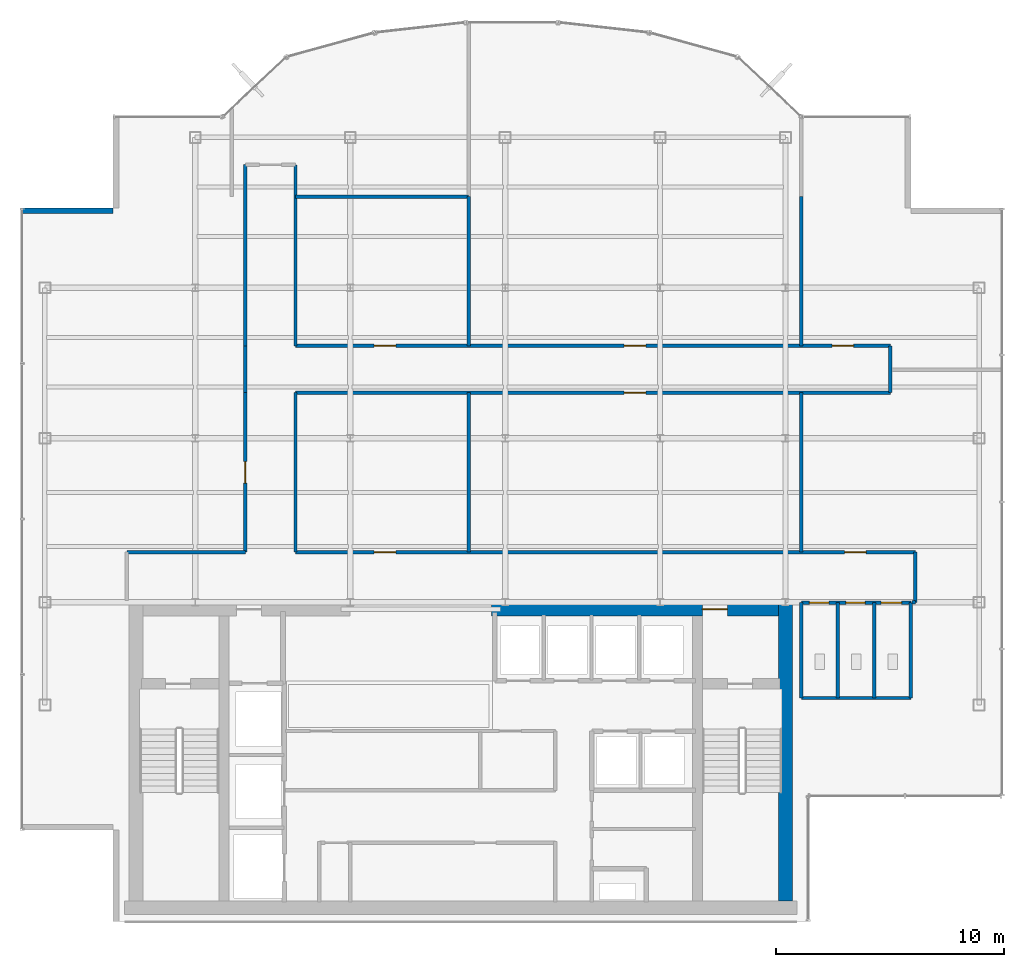
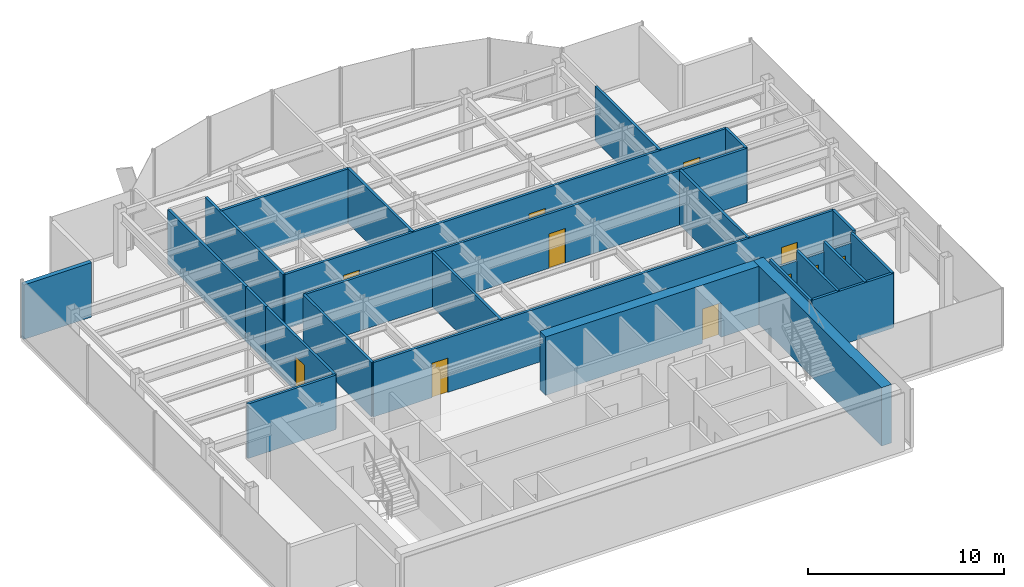
# One storey, part 18 of 22: 26 walls, 11 doors, 11 openings.
"""IFC4 building model written with IfcOpenShell, lengths in metres."""

import ifcopenshell
import ifcopenshell.guid

model = None  # the IFC model being written
_history = None  # IfcOwnerHistory: only IFC2X3 demands one
_inside = {}  # id of a spatial element -> (the spatial element, [elements in it])
_under = {}  # id of a project, library or spatial element -> (it, [spatial elements below it])
_declared = {}  # id of a project -> (the project, [libraries it declares])
_typed = {}  # id of a type object -> (the type object, [elements of that type])
_made_of = {}  # id of a material, layer set ... -> (it, [elements and type objects made of it])


def new_model(schema):
    """Start an empty IFC model of exactly this schema.

    Asked for "IFC4X3", IfcOpenShell would pick the latest addendum, in which some entities
    have other attributes; the version numbers below select the first issue.
    IFC2X3 requires an IfcOwnerHistory on every rooted entity: one is made here for all.
    """
    global model, _history
    if schema == "IFC4X3":
        model = ifcopenshell.file(schema_version=(4, 3, 0, 0))
    else:
        model = ifcopenshell.file(schema=schema)
    _inside.clear()
    _under.clear()
    _declared.clear()
    _typed.clear()
    _made_of.clear()
    _history = None
    if model.schema == "IFC2X3":
        org = make("IfcOrganization", Name="unknown")
        user = make(
            "IfcPersonAndOrganization",
            ThePerson=make("IfcPerson", FamilyName="unknown"),
            TheOrganization=org,
        )
        app = make(
            "IfcApplication",
            ApplicationDeveloper=org,
            Version="unknown",
            ApplicationFullName="unknown",
            ApplicationIdentifier="unknown",
        )
        _history = make(
            "IfcOwnerHistory",
            OwningUser=user,
            OwningApplication=app,
            ChangeAction="ADDED",
            CreationDate=0,
        )
    return model


def make(cls, **values):
    """One entity of the class cls with the attributes given. An attribute that is None is left unset."""
    return model.create_entity(
        cls, **{name: value for name, value in values.items() if value is not None}
    )


def rooted(cls, **values):
    """An entity with a GlobalId (a new one), such as an element, a storey or a relation."""
    return make(cls, GlobalId=ifcopenshell.guid.new(), OwnerHistory=_history, **values)


def si_unit(unit_type, name, prefix=None):
    """IfcSIUnit, for example si_unit("LENGTHUNIT", "METRE", prefix="MILLI")."""
    return make("IfcSIUnit", UnitType=unit_type, Prefix=prefix, Name=name)


def derived_unit(unit_type, elements):
    """IfcDerivedUnit: a product of units, each with its exponent."""
    return make(
        "IfcDerivedUnit",
        Elements=[
            make("IfcDerivedUnitElement", Unit=unit, Exponent=power)
            for unit, power in elements
        ],
        UnitType=unit_type,
    )


def assignment(units):
    """IfcUnitAssignment: the units of a project."""
    return None if units is None else make("IfcUnitAssignment", Units=units)


def point(xyz):
    """IfcCartesianPoint."""
    return None if xyz is None else make("IfcCartesianPoint", Coordinates=xyz)


def direction(xyz):
    """IfcDirection."""
    return None if xyz is None else make("IfcDirection", DirectionRatios=xyz)


def frame(location, z_axis=None, x_axis=None):
    """IfcAxis2Placement3D, a coordinate frame: its origin and axes. An axis left out is left unset."""
    return make(
        "IfcAxis2Placement3D",
        Location=point(location),
        Axis=direction(z_axis),
        RefDirection=direction(x_axis),
    )


def frame_2d(location, x_axis=None):
    """IfcAxis2Placement2D, a coordinate frame in the plane: its origin and x axis."""
    return make(
        "IfcAxis2Placement2D", Location=point(location), RefDirection=direction(x_axis)
    )


def origin():
    """The frame at (0, 0, 0) with its axes left unset."""
    return frame((0.0, 0.0, 0.0))


def place(relative_to, where):
    """IfcLocalPlacement: puts the frame where relative to a parent placement (None: the world)."""
    return make(
        "IfcLocalPlacement", PlacementRelTo=relative_to, RelativePlacement=where
    )


def context(
    kind, dimensions, precision=None, world=None, true_north=None, identifier=None
):
    """IfcGeometricRepresentationContext, for example the 3D "Model" context."""
    return make(
        "IfcGeometricRepresentationContext",
        ContextIdentifier=identifier,
        ContextType=kind,
        CoordinateSpaceDimension=dimensions,
        Precision=precision,
        WorldCoordinateSystem=world,
        TrueNorth=true_north,
    )


def subcontext(parent, identifier, kind, view, scale=None):
    """IfcGeometricRepresentationSubContext, for example "Body" below "Model"."""
    return make(
        "IfcGeometricRepresentationSubContext",
        ContextIdentifier=identifier,
        ContextType=kind,
        ParentContext=parent,
        TargetScale=scale,
        TargetView=view,
    )


def project(units=None, contexts=None):
    """IfcProject with its units and contexts."""
    return rooted(
        "IfcProject",
        Name="project",
        RepresentationContexts=contexts,
        UnitsInContext=assignment(units),
    )


def spatial(cls, under=None, at=None, **own):
    """A site, building, storey or space (cls), placed at a placement, below another one or the project."""
    s = rooted(cls, ObjectPlacement=at, **own)
    if under is not None:
        _under.setdefault(under.id(), (under, []))[1].append(s)
    return s


def profile(cls, at=None, kind="AREA", **sizes):
    """A parametric profile (cls). Its sizes go by their IFC names, for example OverallWidth=200.0."""
    return make(cls, ProfileType=kind, Position=at, **sizes)


def rectangle(**sizes):
    """IfcRectangleProfileDef."""
    return profile("IfcRectangleProfileDef", **sizes)


def extrude(swept, where, along, depth):
    """IfcExtrudedAreaSolid: the profile swept, set in the frame where, extruded along a direction by depth."""
    return make(
        "IfcExtrudedAreaSolid",
        SweptArea=swept,
        Position=where,
        ExtrudedDirection=direction(along),
        Depth=depth,
    )


def shape(context_of_items, identifier, shape_type, items):
    """IfcShapeRepresentation: the items that make up one representation, for example the "Body"."""
    return make(
        "IfcShapeRepresentation",
        ContextOfItems=context_of_items,
        RepresentationIdentifier=identifier,
        RepresentationType=shape_type,
        Items=items,
    )


def source(mapping_origin, context_of_items, identifier, shape_type, items):
    """IfcRepresentationMap: a shape defined once, which mapped items show again and again."""
    return make(
        "IfcRepresentationMap",
        MappingOrigin=mapping_origin,
        MappedRepresentation=shape(context_of_items, identifier, shape_type, items),
    )


def transform(
    local_origin,
    x_axis=None,
    y_axis=None,
    z_axis=None,
    scale=None,
    scale2=None,
    scale3=None,
    uniform=True,
):
    """IfcCartesianTransformationOperator3D, or its non-uniform kind. x_axis, y_axis, z_axis: its Axis1, 2, 3."""
    if uniform:
        return make(
            "IfcCartesianTransformationOperator3D",
            Axis1=direction(x_axis),
            Axis2=direction(y_axis),
            LocalOrigin=point(local_origin),
            Scale=scale,
            Axis3=direction(z_axis),
        )
    return make(
        "IfcCartesianTransformationOperator3DnonUniform",
        Axis1=direction(x_axis),
        Axis2=direction(y_axis),
        LocalOrigin=point(local_origin),
        Scale=scale,
        Axis3=direction(z_axis),
        Scale2=scale2,
        Scale3=scale3,
    )


def mapped(mapping_source, mapping_target):
    """IfcMappedItem: shows the shape of a source again, moved by a transform."""
    return make(
        "IfcMappedItem", MappingSource=mapping_source, MappingTarget=mapping_target
    )


def material(Name=None, Category=None):
    """IfcMaterial."""
    return make("IfcMaterial", Name=Name, Category=Category)


def layer(
    of_material, thickness, ventilated=None, Name=None, Category=None, Priority=None
):
    """IfcMaterialLayer: one layer of a wall or slab, of a material (None: an air gap)."""
    return make(
        "IfcMaterialLayer",
        Material=of_material,
        LayerThickness=thickness,
        IsVentilated=ventilated,
        Name=Name,
        Category=Category,
        Priority=Priority,
    )


def layer_set(layers, Name=None):
    """IfcMaterialLayerSet."""
    return make("IfcMaterialLayerSet", MaterialLayers=layers, LayerSetName=Name)


def made_of(thing, what):
    """Note that an element or type object is made of a material, layer set ...; save() writes the relation."""
    if what is not None:
        _made_of.setdefault(what.id(), (what, []))[1].append(thing)
    return thing


def type_object(cls, material=None, **own):
    """A type object (cls), such as IfcWallType, which elements share."""
    return made_of(rooted(cls, **own), material)


def element(
    cls,
    number,
    at=None,
    inside=None,
    cuts=None,
    type_object=None,
    material=None,
    context=None,
    identifier="Body",
    shape_type=None,
    held_by="IfcProductDefinitionShape",
    body=None,
    shapes=None,
    **own,
):
    """One element of the class cls, such as IfcWall. Its Tag is "e" and its number.

    at: its placement. inside: the storey or other place that contains it. cuts: it is an
    opening in that element (IfcRelVoidsElement). A single representation is given by context,
    identifier, shape_type and body (its items); several are given by shapes. held_by: the class
    of the entity that holds the representations. save() writes the other relations.
    """
    e = rooted(cls, Tag="e%d" % number, ObjectPlacement=at, **own)
    if body is not None:
        shapes = [shape(context, identifier, shape_type, body)]
    if shapes is not None:
        e.Representation = make(held_by, Representations=shapes)
    if inside is not None:
        _inside.setdefault(inside.id(), (inside, []))[1].append(e)
    if cuts is not None:
        rooted(
            "IfcRelVoidsElement", RelatingBuildingElement=cuts, RelatedOpeningElement=e
        )
    if type_object is not None:
        _typed.setdefault(type_object.id(), (type_object, []))[1].append(e)
    return made_of(e, material)


def fill(opening, filler):
    """IfcRelFillsElement: the door or window that sits in an opening."""
    return rooted(
        "IfcRelFillsElement",
        RelatingOpeningElement=opening,
        RelatedBuildingElement=filler,
    )


def aggregate(whole, parts):
    """IfcRelAggregates: a whole, such as a stair, and the parts it consists of."""
    return rooted("IfcRelAggregates", RelatingObject=whole, RelatedObjects=parts)


def save(model, path):
    """Write the relations noted so far, then the file.

    IfcRelAggregates (storeys below a building ...), IfcRelContainedInSpatialStructure (elements
    in a storey), IfcRelDefinesByType, IfcRelAssociatesMaterial and IfcRelDeclares: one each for
    every whole, place, type object, material and project.
    """
    for whole, parts in _under.values():
        aggregate(whole, parts)
    for where, things in _inside.values():
        rooted(
            "IfcRelContainedInSpatialStructure",
            RelatedElements=things,
            RelatingStructure=where,
        )
    for kind, things in _typed.values():
        rooted("IfcRelDefinesByType", RelatedObjects=things, RelatingType=kind)
    for what, things in _made_of.values():
        rooted("IfcRelAssociatesMaterial", RelatedObjects=things, RelatingMaterial=what)
    for by, libraries in _declared.values():
        rooted("IfcRelDeclares", RelatingContext=by, RelatedDefinitions=libraries)
    model.write(path)


model = new_model("IFC4")

# Units and contexts
model_context = context("Model", 3, precision=1e-05, world=origin(), true_north=direction((0.0, 1.0)))
body_context = subcontext(model_context, "Body", "Model", "MODEL_VIEW")
ifc_project = project(units=[si_unit("LENGTHUNIT", "METRE"), si_unit("AREAUNIT", "SQUARE_METRE"), si_unit("VOLUMEUNIT", "CUBIC_METRE"), si_unit("PLANEANGLEUNIT", "RADIAN"), si_unit("MASSUNIT", "GRAM", prefix="KILO"), derived_unit("THERMALTRANSMITTANCEUNIT", [(si_unit("POWERUNIT", "WATT"), 1), (si_unit("LENGTHUNIT", "METRE"), -2), (si_unit("THERMODYNAMICTEMPERATUREUNIT", "KELVIN"), -1)])], contexts=[model_context])

# Site, building, storey
site_placement = place(None, origin())
site = spatial("IfcSite", under=ifc_project, at=site_placement, CompositionType="ELEMENT")
building_placement = place(site_placement, origin())
building = spatial("IfcBuilding", under=site, at=building_placement, Name="Skarnbrae Concourse Arena and Tower", CompositionType="ELEMENT")
storey_placement = place(building_placement, frame((0.0, 0.0, 210.5)))
storey = spatial("IfcBuildingStorey", under=building, at=storey_placement, Name="L54", CompositionType="ELEMENT", Elevation=210.5)

# Wall
ifc_material_1 = material(Name="Concrete 50 MPa (C50/60)", Category="concrete")
ifc_layer_1 = layer(ifc_material_1, 0.60009765625)
ifc_layer_set_1 = layer_set([ifc_layer_1], Name="Concrete 50 MPa (C50/60)")
wall_type_1 = type_object("IfcWallType", Name="WALL-CORE-600-C50", PredefinedType="SHEAR", material=ifc_layer_set_1)
shared_shape_1 = source(origin(), body_context, "Body", "SweptSolid", [
    extrude(rectangle(XDim=13.10009765625, YDim=0.60009765625, at=frame_2d((6.550048828125, 0.0))), origin(), (0.0, 0.0, 1.0), 3.64990234375),
])
wall_1_placement = place(storey_placement, frame((33.5, 0.89990234375, 0.0), z_axis=(0.0, 0.0, 1.0), x_axis=(0.0, 1.0, 0.0)))
element("IfcWall", 1, at=wall_1_placement, inside=storey, type_object=wall_type_1, Name="L54 Rear core shear wall CW-E", PredefinedType="SHEAR", context=body_context, shape_type="MappedRepresentation", body=[
    mapped(shared_shape_1, transform((0.0, 0.0, 0.0))),
])

# Wall, opening, door
shared_shape_2 = source(origin(), body_context, "Body", "SweptSolid", [
    extrude(rectangle(XDim=12.599853515625, YDim=0.60009765625, at=frame_2d((6.2998046875, 0.0))), origin(), (0.0, 0.0, 1.0), 3.64990234375),
])
wall_2_placement = place(storey_placement, frame((20.60009765625, 13.699951171875, 0.0), z_axis=(0.0, 0.0, 1.0), x_axis=(1.0, 0.0, 0.0)))
wall_2 = element("IfcWall", 2, at=wall_2_placement, inside=storey, type_object=wall_type_1, Name="L54 Rear core shear wall CW-NE", PredefinedType="SHEAR", context=body_context, shape_type="MappedRepresentation", body=[
    mapped(shared_shape_2, transform((0.0, 0.0, 0.0))),
])
opening_1_placement = place(wall_2_placement, frame((9.25, 0.0, 0.0)))
opening_1 = element("IfcOpeningElement", 3, at=opening_1_placement, cuts=wall_2, Name="Opening DT-03", PredefinedType="OPENING", context=body_context, shape_type="SweptSolid", body=[
    extrude(rectangle(XDim=1.10009765625, YDim=2.14990234375, at=frame_2d((0.550048828125, 1.074951171875))), frame((0.0, 0.31005859375, 0.0), z_axis=(0.0, -1.0, 0.0), x_axis=(1.0, 0.0, 0.0)), (0.0, 0.0, 1.0), 0.6201171875),
])
ifc_material_2 = material(Name="Steel CSA G40.21 350W", Category="steel")
door_type_1 = type_object("IfcDoorType", Name="DOOR-FIRE-1100-90M", OperationType="NOTDEFINED", PredefinedType="DOOR", material=ifc_material_2)
shared_shape_3 = source(origin(), body_context, "Body", "SweptSolid", [
    extrude(rectangle(XDim=1.10009765625, YDim=2.14990234375, at=frame_2d((0.550048828125, 1.074951171875))), frame((0.0, 0.02490234375, 0.0), z_axis=(0.0, -1.0, 0.0), x_axis=(1.0, 0.0, 0.0)), (0.0, 0.0, 1.0), 0.050048828125),
])
door_1_placement = place(opening_1_placement, origin())
door_1 = element("IfcDoor", 4, at=door_1_placement, inside=storey, type_object=door_type_1, Name="D-1645 Stair ST-2 Vestibule Door", OperationType="SINGLE_SWING_LEFT", OverallHeight=2.14990234375, OverallWidth=1.10009765625, PredefinedType="DOOR", context=body_context, shape_type="MappedRepresentation", body=[
    mapped(shared_shape_3, transform((0.0, 0.0, 0.0))),
])
fill(opening_1, door_1)

# Walls
ifc_material_3 = material(Name="Precast concrete 40 MPa (C40/50)", Category="concrete")
ifc_layer_2 = layer(ifc_material_3, 0.25)
ifc_layer_set_2 = layer_set([ifc_layer_2], Name="Precast concrete 40 MPa (C40/50)")
wall_type_2 = type_object("IfcWallType", Name="WALL-EXT-SPANDREL-250", PredefinedType="STANDARD", material=ifc_layer_set_2)
shared_shape_4 = source(origin(), body_context, "Body", "SweptSolid", [
    extrude(rectangle(XDim=4.0, YDim=0.25, at=frame_2d((2.0, 0.0))), origin(), (0.0, 0.0, 1.0), 3.39990234375),
])
wall_3_placement = place(storey_placement, frame((4.0, 31.175048828125, 0.0), z_axis=(0.0, 0.0, 1.0), x_axis=(-1.0, 0.0, 0.0)))
element("IfcWall", 5, at=wall_3_placement, inside=storey, type_object=wall_type_2, Name="L54 Notched corner insulated return wall 17", PredefinedType="STANDARD", context=body_context, shape_type="MappedRepresentation", body=[
    mapped(shared_shape_4, transform((0.0, 0.0, 0.0))),
])
ifc_material_4 = material(Name="Gypsum board on cold-formed steel studs", Category="steel")
ifc_layer_3 = layer(ifc_material_4, 0.14990234375)
ifc_layer_set_3 = layer_set([ifc_layer_3], Name="Gypsum board on cold-formed steel studs")
wall_type_3 = type_object("IfcWallType", Name="WALL-PART-150", PredefinedType="PARTITIONING", material=ifc_layer_set_3)
shared_shape_5 = source(origin(), body_context, "Body", "SweptSolid", [
    extrude(rectangle(XDim=4.800048828125, YDim=0.14990234375, at=frame_2d((2.39990234375, 0.0))), origin(), (0.0, 0.0, 1.0), 3.39990234375),
])
wall_4_placement = place(storey_placement, frame((34.199951171875, 9.800048828125, 0.0), z_axis=(0.0, 0.0, 1.0), x_axis=(1.0, 0.0, 0.0)))
element("IfcWall", 6, at=wall_4_placement, inside=storey, type_object=wall_type_3, Name="L54 Interior partition wall W-L54-WC-S", PredefinedType="PARTITIONING", context=body_context, shape_type="MappedRepresentation", body=[
    mapped(shared_shape_5, transform((0.0, 0.0, 0.0))),
])
shared_shape_6 = source(origin(), body_context, "Body", "SweptSolid", [
    extrude(rectangle(XDim=4.179931640625, YDim=0.14990234375, at=frame_2d((2.08984375, 0.0))), origin(), (0.0, 0.0, 1.0), 3.39990234375),
])
for number, where, z_axis, x_axis, name in (
    (7, (39.0, 9.800048828125, 0.0), (0.0, 0.0, 1.0), (0.0, 1.0, 0.0), "L54 Interior partition wall W-L54-WC-E"),
    (8, (34.199951171875, 9.800048828125, 0.0), (0.0, 0.0, 1.0), (0.0, 1.0, 0.0), "L54 Interior partition wall W-L54-WC-W"),
    (9, (35.800048828125, 9.800048828125, 0.0), (0.0, 0.0, 1.0), (0.0, 1.0, 0.0), "L54 Interior partition wall W-L54-WC-D1"),
    (10, (37.39990234375, 9.800048828125, 0.0), (0.0, 0.0, 1.0), (0.0, 1.0, 0.0), "L54 Interior partition wall W-L54-WC-D2"),
):
    element("IfcWall", number, at=place(storey_placement, frame(where, z_axis=z_axis, x_axis=x_axis)), inside=storey, type_object=wall_type_3, Name=name, PredefinedType="PARTITIONING", context=body_context, shape_type="MappedRepresentation", body=[
        mapped(shared_shape_6, transform((0.0, 0.0, 0.0))),
    ])
ifc_layer_4 = layer(ifc_material_4, 0.14990234375)
ifc_layer_set_4 = layer_set([ifc_layer_4], Name="Gypsum board on cold-formed steel studs")
wall_type_4 = type_object("IfcWallType", Name="WALL-PART-150-1HR", PredefinedType="PARTITIONING", material=ifc_layer_set_4)
shared_shape_7 = source(origin(), body_context, "Body", "SweptSolid", [
    extrude(rectangle(XDim=2.050048828125, YDim=0.14990234375, at=frame_2d((1.02490234375, 0.0))), origin(), (0.0, 0.0, 1.0), 3.39990234375),
])
for number, where, z_axis, x_axis, name in (
    (11, (9.800048828125, 23.199951171875, 0.0), (0.0, 0.0, 1.0), (0.0, 1.0, 0.0), "L54 Interior partition wall W-L54-COR-04"),
    (12, (38.10009765625, 25.25, 0.0), (0.0, 0.0, 1.0), (0.0, -1.0, 0.0), "L54 Interior partition wall W-L54-COR-09"),
):
    element("IfcWall", number, at=place(storey_placement, frame(where, z_axis=z_axis, x_axis=x_axis)), inside=storey, type_object=wall_type_4, Name=name, PredefinedType="PARTITIONING", context=body_context, shape_type="MappedRepresentation", body=[
        mapped(shared_shape_7, transform((0.0, 0.0, 0.0))),
    ])
shared_shape_8 = source(origin(), body_context, "Body", "SweptSolid", [
    extrude(rectangle(XDim=2.199951171875, YDim=0.14990234375, at=frame_2d((1.10009765625, 0.0))), origin(), (0.0, 0.0, 1.0), 3.39990234375),
])
wall_5_placement = place(storey_placement, frame((39.199951171875, 16.199951171875, 0.0), z_axis=(0.0, 0.0, 1.0), x_axis=(0.0, -1.0, 0.0)))
element("IfcWall", 13, at=wall_5_placement, inside=storey, type_object=wall_type_4, Name="L54 Interior partition wall W-L54-COR-13", PredefinedType="PARTITIONING", context=body_context, shape_type="MappedRepresentation", body=[
    mapped(shared_shape_8, transform((0.0, 0.0, 0.0))),
])
shared_shape_9 = source(origin(), body_context, "Body", "SweptSolid", [
    extrude(rectangle(XDim=5.199951171875, YDim=0.14990234375, at=frame_2d((2.60009765625, 0.0))), origin(), (0.0, 0.0, 1.0), 3.39990234375),
])
wall_6_placement = place(storey_placement, frame((4.60009765625, 16.199951171875, 0.0), z_axis=(0.0, 0.0, 1.0), x_axis=(1.0, 0.0, 0.0)))
element("IfcWall", 14, at=wall_6_placement, inside=storey, type_object=wall_type_4, Name="L54 Interior partition wall W-L54-COR-02", PredefinedType="PARTITIONING", context=body_context, shape_type="MappedRepresentation", body=[
    mapped(shared_shape_9, transform((0.0, 0.0, 0.0))),
])
shared_shape_10 = source(origin(), body_context, "Body", "SweptSolid", [
    extrude(rectangle(XDim=7.60009765625, YDim=0.14990234375, at=frame_2d((3.800048828125, 0.0))), origin(), (0.0, 0.0, 1.0), 3.39990234375),
])
wall_7_placement = place(storey_placement, frame((19.60009765625, 31.800048828125, 0.0), z_axis=(0.0, 0.0, 1.0), x_axis=(-1.0, 0.0, 0.0)))
element("IfcWall", 15, at=wall_7_placement, inside=storey, type_object=wall_type_3, Name="L54 Interior partition wall W-L54-DEM-16", PredefinedType="PARTITIONING", context=body_context, shape_type="MappedRepresentation", body=[
    mapped(shared_shape_10, transform((0.0, 0.0, 0.0))),
])

# Wall, opening, door
shared_shape_11 = source(origin(), body_context, "Body", "SweptSolid", [
    extrude(rectangle(XDim=7.0, YDim=0.14990234375, at=frame_2d((3.5, 0.0))), origin(), (0.0, 0.0, 1.0), 3.39990234375),
])
wall_8_placement = place(storey_placement, frame((9.800048828125, 16.199951171875, 0.0), z_axis=(0.0, 0.0, 1.0), x_axis=(0.0, 1.0, 0.0)))
wall_8 = element("IfcWall", 16, at=wall_8_placement, inside=storey, type_object=wall_type_4, Name="L54 Interior partition wall W-L54-COR-03", PredefinedType="PARTITIONING", context=body_context, shape_type="MappedRepresentation", body=[
    mapped(shared_shape_11, transform((0.0, 0.0, 0.0))),
])
opening_2_placement = place(wall_8_placement, frame((3.02490234375, 0.0, 0.0)))
opening_2 = element("IfcOpeningElement", 17, at=opening_2_placement, cuts=wall_8, Name="Opening DT-04", PredefinedType="OPENING", context=body_context, shape_type="SweptSolid", body=[
    extrude(rectangle(XDim=0.949951171875, YDim=2.14990234375, at=frame_2d((0.47509765625, 1.074951171875))), frame((0.0, 0.0849609375, 0.0), z_axis=(0.0, -1.0, 0.0), x_axis=(1.0, 0.0, 0.0)), (0.0, 0.0, 1.0), 0.169921875),
])
door_type_2 = type_object("IfcDoorType", Name="DOOR-INT-950-45M", OperationType="NOTDEFINED", PredefinedType="DOOR", material=ifc_material_2)
shared_shape_12 = source(origin(), body_context, "Body", "SweptSolid", [
    extrude(rectangle(XDim=0.949951171875, YDim=2.14990234375, at=frame_2d((0.47509765625, 1.074951171875))), frame((0.0, 0.02490234375, 0.0), z_axis=(0.0, -1.0, 0.0), x_axis=(1.0, 0.0, 0.0)), (0.0, 0.0, 1.0), 0.050048828125),
])
door_2_placement = place(opening_2_placement, origin())
door_2 = element("IfcDoor", 18, at=door_2_placement, inside=storey, type_object=door_type_2, Name="D-1664 L54 Suite Door 01", OperationType="SINGLE_SWING_RIGHT", OverallHeight=2.14990234375, OverallWidth=0.949951171875, PredefinedType="DOOR", context=body_context, shape_type="MappedRepresentation", body=[
    mapped(shared_shape_12, transform((0.0, 0.0, 0.0))),
])
fill(opening_2, door_2)

# Walls
wall_9_placement = place(storey_placement, frame((12.0, 23.199951171875, 0.0), z_axis=(0.0, 0.0, 1.0), x_axis=(0.0, -1.0, 0.0)))
element("IfcWall", 19, at=wall_9_placement, inside=storey, type_object=wall_type_4, Name="L54 Interior partition wall W-L54-COR-11", PredefinedType="PARTITIONING", context=body_context, shape_type="MappedRepresentation", body=[
    mapped(shared_shape_11, transform((0.0, 0.0, 0.0))),
])
for number, where, z_axis, x_axis, name in (
    (20, (19.60009765625, 23.199951171875, 0.0), (0.0, 0.0, 1.0), (0.0, -1.0, 0.0), "L54 Interior partition wall W-L54-DEM-17"),
    (21, (34.199951171875, 23.199951171875, 0.0), (0.0, 0.0, 1.0), (0.0, -1.0, 0.0), "L54 Interior partition wall W-L54-DEM-20"),
):
    element("IfcWall", number, at=place(storey_placement, frame(where, z_axis=z_axis, x_axis=x_axis)), inside=storey, type_object=wall_type_3, Name=name, PredefinedType="PARTITIONING", context=body_context, shape_type="MappedRepresentation", body=[
        mapped(shared_shape_11, transform((0.0, 0.0, 0.0))),
    ])
shared_shape_13 = source(origin(), body_context, "Body", "SweptSolid", [
    extrude(rectangle(XDim=7.949951171875, YDim=0.14990234375, at=frame_2d((3.97509765625, 0.0))), origin(), (0.0, 0.0, 1.0), 3.39990234375),
])
for number, where, z_axis, x_axis, name in (
    (22, (9.800048828125, 25.25, 0.0), (0.0, 0.0, 1.0), (0.0, 1.0, 0.0), "L54 Interior partition wall W-L54-COR-05"),
    (23, (12.0, 33.199951171875, 0.0), (0.0, 0.0, 1.0), (0.0, -1.0, 0.0), "L54 Interior partition wall W-L54-COR-07"),
):
    element("IfcWall", number, at=place(storey_placement, frame(where, z_axis=z_axis, x_axis=x_axis)), inside=storey, type_object=wall_type_4, Name=name, PredefinedType="PARTITIONING", context=body_context, shape_type="MappedRepresentation", body=[
        mapped(shared_shape_13, transform((0.0, 0.0, 0.0))),
    ])

# Wall, openings, doors
shared_shape_14 = source(origin(), body_context, "Body", "SweptSolid", [
    extrude(rectangle(XDim=26.10009765625, YDim=0.14990234375, at=frame_2d((13.050048828125, 0.0))), origin(), (0.0, 0.0, 1.0), 3.39990234375),
])
wall_10_placement = place(storey_placement, frame((12.0, 25.25, 0.0), z_axis=(0.0, 0.0, 1.0), x_axis=(1.0, 0.0, 0.0)))
wall_10 = element("IfcWall", 24, at=wall_10_placement, inside=storey, type_object=wall_type_4, Name="L54 Interior partition wall W-L54-COR-08", PredefinedType="PARTITIONING", context=body_context, shape_type="MappedRepresentation", body=[
    mapped(shared_shape_14, transform((0.0, 0.0, 0.0))),
])
opening_3_placement = place(wall_10_placement, frame((3.455078125, 0.0, 0.0)))
opening_3 = element("IfcOpeningElement", 25, at=opening_3_placement, cuts=wall_10, Name="Opening DT-04", PredefinedType="OPENING", context=body_context, shape_type="SweptSolid", body=[
    extrude(rectangle(XDim=0.949951171875, YDim=2.14990234375, at=frame_2d((0.47509765625, 1.074951171875))), frame((0.0, 0.0849609375, 0.0), z_axis=(0.0, -1.0, 0.0), x_axis=(1.0, 0.0, 0.0)), (0.0, 0.0, 1.0), 0.169921875),
])
opening_4_placement = place(wall_10_placement, frame((14.425048828125, 0.0, 0.0)))
opening_4 = element("IfcOpeningElement", 26, at=opening_4_placement, cuts=wall_10, Name="Opening DT-04", PredefinedType="OPENING", context=body_context, shape_type="SweptSolid", body=[
    extrude(rectangle(XDim=0.949951171875, YDim=2.14990234375, at=frame_2d((0.47509765625, 1.074951171875))), frame((0.0, 0.0849609375, 0.0), z_axis=(0.0, -1.0, 0.0), x_axis=(1.0, 0.0, 0.0)), (0.0, 0.0, 1.0), 0.169921875),
])
opening_5_placement = place(wall_10_placement, frame((23.544921875, 0.0, 0.0)))
opening_5 = element("IfcOpeningElement", 27, at=opening_5_placement, cuts=wall_10, Name="Opening DT-04", PredefinedType="OPENING", context=body_context, shape_type="SweptSolid", body=[
    extrude(rectangle(XDim=0.949951171875, YDim=2.14990234375, at=frame_2d((0.47509765625, 1.074951171875))), frame((0.0, 0.0849609375, 0.0), z_axis=(0.0, -1.0, 0.0), x_axis=(1.0, 0.0, 0.0)), (0.0, 0.0, 1.0), 0.169921875),
])
door_3_placement = place(opening_3_placement, origin())
door_3 = element("IfcDoor", 28, at=door_3_placement, inside=storey, type_object=door_type_2, Name="D-1667 L54 Suite Door 04", OperationType="SINGLE_SWING_LEFT", OverallHeight=2.14990234375, OverallWidth=0.949951171875, PredefinedType="DOOR", context=body_context, shape_type="MappedRepresentation", body=[
    mapped(shared_shape_12, transform((0.0, 0.0, 0.0))),
])
fill(opening_3, door_3)
door_4_placement = place(opening_4_placement, origin())
door_4 = element("IfcDoor", 29, at=door_4_placement, inside=storey, type_object=door_type_2, Name="D-1668 L54 Suite Door 05", OperationType="SINGLE_SWING_RIGHT", OverallHeight=2.14990234375, OverallWidth=0.949951171875, PredefinedType="DOOR", context=body_context, shape_type="MappedRepresentation", body=[
    mapped(shared_shape_12, transform((0.0, 0.0, 0.0))),
])
fill(opening_4, door_4)
door_5_placement = place(opening_5_placement, origin())
door_5 = element("IfcDoor", 30, at=door_5_placement, inside=storey, type_object=door_type_2, Name="D-1670 L54 Suite Door 07", OperationType="SINGLE_SWING_RIGHT", OverallHeight=2.14990234375, OverallWidth=0.949951171875, PredefinedType="DOOR", context=body_context, shape_type="MappedRepresentation", body=[
    mapped(shared_shape_12, transform((0.0, 0.0, 0.0))),
])
fill(opening_5, door_5)

# Wall, opening, door
wall_11_placement = place(storey_placement, frame((38.10009765625, 23.199951171875, 0.0), z_axis=(0.0, 0.0, 1.0), x_axis=(-1.0, 0.0, 0.0)))
wall_11 = element("IfcWall", 31, at=wall_11_placement, inside=storey, type_object=wall_type_4, Name="L54 Interior partition wall W-L54-COR-10", PredefinedType="PARTITIONING", context=body_context, shape_type="MappedRepresentation", body=[
    mapped(shared_shape_14, transform((0.0, 0.0, 0.0))),
])
opening_6_placement = place(wall_11_placement, frame((10.72509765625, 0.0, 0.0)))
opening_6 = element("IfcOpeningElement", 32, at=opening_6_placement, cuts=wall_11, Name="Opening DT-04", PredefinedType="OPENING", context=body_context, shape_type="SweptSolid", body=[
    extrude(rectangle(XDim=0.949951171875, YDim=2.14990234375, at=frame_2d((0.47509765625, 1.074951171875))), frame((0.0, 0.0849609375, 0.0), z_axis=(0.0, -1.0, 0.0), x_axis=(1.0, 0.0, 0.0)), (0.0, 0.0, 1.0), 0.169921875),
])
door_6_placement = place(opening_6_placement, origin())
door_6 = element("IfcDoor", 33, at=door_6_placement, inside=storey, type_object=door_type_2, Name="D-1669 L54 Suite Door 06", OperationType="SINGLE_SWING_LEFT", OverallHeight=2.14990234375, OverallWidth=0.949951171875, PredefinedType="DOOR", context=body_context, shape_type="MappedRepresentation", body=[
    mapped(shared_shape_12, transform((0.0, 0.0, 0.0))),
])
fill(opening_6, door_6)

# Wall, openings, doors
shared_shape_15 = source(origin(), body_context, "Body", "SweptSolid", [
    extrude(rectangle(XDim=27.199951171875, YDim=0.14990234375, at=frame_2d((13.60009765625, 0.0))), origin(), (0.0, 0.0, 1.0), 3.39990234375),
])
wall_12_placement = place(storey_placement, frame((12.0, 16.199951171875, 0.0), z_axis=(0.0, 0.0, 1.0), x_axis=(1.0, 0.0, 0.0)))
wall_12 = element("IfcWall", 34, at=wall_12_placement, inside=storey, type_object=wall_type_4, Name="L54 Interior partition wall W-L54-COR-12", PredefinedType="PARTITIONING", context=body_context, shape_type="MappedRepresentation", body=[
    mapped(shared_shape_15, transform((0.0, 0.0, 0.0))),
])
opening_7_placement = place(wall_12_placement, frame((3.455078125, 0.0, 0.0)))
opening_7 = element("IfcOpeningElement", 35, at=opening_7_placement, cuts=wall_12, Name="Opening DT-04", PredefinedType="OPENING", context=body_context, shape_type="SweptSolid", body=[
    extrude(rectangle(XDim=0.949951171875, YDim=2.14990234375, at=frame_2d((0.47509765625, 1.074951171875))), frame((0.0, 0.0849609375, 0.0), z_axis=(0.0, -1.0, 0.0), x_axis=(1.0, 0.0, 0.0)), (0.0, 0.0, 1.0), 0.169921875),
])
opening_8_placement = place(wall_12_placement, frame((24.094970703125, 0.0, 0.0)))
opening_8 = element("IfcOpeningElement", 36, at=opening_8_placement, cuts=wall_12, Name="Opening DT-04", PredefinedType="OPENING", context=body_context, shape_type="SweptSolid", body=[
    extrude(rectangle(XDim=0.949951171875, YDim=2.14990234375, at=frame_2d((0.47509765625, 1.074951171875))), frame((0.0, 0.0849609375, 0.0), z_axis=(0.0, -1.0, 0.0), x_axis=(1.0, 0.0, 0.0)), (0.0, 0.0, 1.0), 0.169921875),
])
door_7_placement = place(opening_7_placement, origin())
door_7 = element("IfcDoor", 37, at=door_7_placement, inside=storey, type_object=door_type_2, Name="D-1666 L54 Suite Door 03", OperationType="SINGLE_SWING_RIGHT", OverallHeight=2.14990234375, OverallWidth=0.949951171875, PredefinedType="DOOR", context=body_context, shape_type="MappedRepresentation", body=[
    mapped(shared_shape_12, transform((0.0, 0.0, 0.0))),
])
fill(opening_7, door_7)
door_8_placement = place(opening_8_placement, origin())
door_8 = element("IfcDoor", 38, at=door_8_placement, inside=storey, type_object=door_type_2, Name="D-1671 L54 Suite Door 08", OperationType="SINGLE_SWING_LEFT", OverallHeight=2.14990234375, OverallWidth=0.949951171875, PredefinedType="DOOR", context=body_context, shape_type="MappedRepresentation", body=[
    mapped(shared_shape_12, transform((0.0, 0.0, 0.0))),
])
fill(opening_8, door_8)

# Walls
shared_shape_16 = source(origin(), body_context, "Body", "SweptSolid", [
    extrude(rectangle(XDim=0.14990234375, YDim=0.14990234375, at=frame_2d((0.074951171875, 0.0))), origin(), (0.0, 0.0, 1.0), 3.39990234375),
])
wall_13_placement = place(storey_placement, frame((39.199951171875, 14.0, 0.0), z_axis=(0.0, 0.0, 1.0), x_axis=(-1.0, 0.0, 0.0)))
element("IfcWall", 39, at=wall_13_placement, inside=storey, type_object=wall_type_4, Name="L54 Interior partition wall W-L54-COR-14", PredefinedType="PARTITIONING", context=body_context, shape_type="MappedRepresentation", body=[
    mapped(shared_shape_16, transform((0.0, 0.0, 0.0))),
])
shared_shape_17 = source(origin(), body_context, "Body", "SweptSolid", [
    extrude(rectangle(XDim=6.550048828125, YDim=0.14990234375, at=frame_2d((3.27490234375, 0.0))), origin(), (0.0, 0.0, 1.0), 3.39990234375),
])
for number, where, z_axis, x_axis, name in (
    (40, (19.60009765625, 31.800048828125, 0.0), (0.0, 0.0, 1.0), (0.0, -1.0, 0.0), "L54 Interior partition wall W-L54-DEM-18"),
    (41, (34.199951171875, 31.800048828125, 0.0), (0.0, 0.0, 1.0), (0.0, -1.0, 0.0), "L54 Interior partition wall W-L54-DEM-22"),
):
    element("IfcWall", number, at=place(storey_placement, frame(where, z_axis=z_axis, x_axis=x_axis)), inside=storey, type_object=wall_type_3, Name=name, PredefinedType="PARTITIONING", context=body_context, shape_type="MappedRepresentation", body=[
        mapped(shared_shape_17, transform((0.0, 0.0, 0.0))),
    ])

# Wall, openings, doors
shared_shape_18 = source(origin(), body_context, "Body", "SweptSolid", [
    extrude(rectangle(XDim=4.800048828125, YDim=0.14990234375, at=frame_2d((2.39990234375, 0.0))), origin(), (0.0, 0.0, 1.0), 2.787109375),
])
wall_14_placement = place(storey_placement, frame((34.199951171875, 13.97998046875, 0.0), z_axis=(0.0, 0.0, 1.0), x_axis=(1.0, 0.0, 0.0)))
wall_14 = element("IfcWall", 42, at=wall_14_placement, inside=storey, type_object=wall_type_3, Name="L54 Interior partition wall W-L54-WC-N", PredefinedType="PARTITIONING", context=body_context, shape_type="MappedRepresentation", body=[
    mapped(shared_shape_18, transform((0.0, 0.0, 0.0))),
])
opening_9_placement = place(wall_14_placement, frame((0.35009765625, 0.0, 0.0)))
opening_9 = element("IfcOpeningElement", 43, at=opening_9_placement, cuts=wall_14, Name="Opening DT-06", PredefinedType="OPENING", context=body_context, shape_type="SweptSolid", body=[
    extrude(rectangle(XDim=0.85009765625, YDim=2.10009765625, at=frame_2d((0.425048828125, 1.050048828125))), frame((0.0, 0.0849609375, 0.0), z_axis=(0.0, -1.0, 0.0), x_axis=(1.0, 0.0, 0.0)), (0.0, 0.0, 1.0), 0.169921875),
])
opening_10_placement = place(wall_14_placement, frame((1.949951171875, 0.0, 0.0)))
opening_10 = element("IfcOpeningElement", 44, at=opening_10_placement, cuts=wall_14, Name="Opening DT-06", PredefinedType="OPENING", context=body_context, shape_type="SweptSolid", body=[
    extrude(rectangle(XDim=0.85009765625, YDim=2.10009765625, at=frame_2d((0.425048828125, 1.050048828125))), frame((0.0, 0.0849609375, 0.0), z_axis=(0.0, -1.0, 0.0), x_axis=(1.0, 0.0, 0.0)), (0.0, 0.0, 1.0), 0.169921875),
])
opening_11_placement = place(wall_14_placement, frame((3.5, 0.0, 0.0)))
opening_11 = element("IfcOpeningElement", 45, at=opening_11_placement, cuts=wall_14, Name="Opening DT-05", PredefinedType="OPENING", context=body_context, shape_type="SweptSolid", body=[
    extrude(rectangle(XDim=0.89990234375, YDim=2.10009765625, at=frame_2d((0.449951171875, 1.050048828125))), frame((0.0, 0.0849609375, 0.0), z_axis=(0.0, -1.0, 0.0), x_axis=(1.0, 0.0, 0.0)), (0.0, 0.0, 1.0), 0.169921875),
])
ifc_material_5 = material(Name="Architectural oak veneer timber leaf", Category="wood")
door_type_3 = type_object("IfcDoorType", Name="DOOR-INT-850", OperationType="NOTDEFINED", PredefinedType="DOOR", material=ifc_material_5)
shared_shape_19 = source(origin(), body_context, "Body", "SweptSolid", [
    extrude(rectangle(XDim=0.85009765625, YDim=2.10009765625, at=frame_2d((0.425048828125, 1.050048828125))), frame((0.0, 0.02490234375, 0.0), z_axis=(0.0, -1.0, 0.0), x_axis=(1.0, 0.0, 0.0)), (0.0, 0.0, 1.0), 0.050048828125),
])
door_9_placement = place(opening_9_placement, frame((0.85009765625, 0.0, 0.0), z_axis=(0.0, 0.0, 1.0), x_axis=(-1.0, 0.0, 0.0)))
door_9 = element("IfcDoor", 46, at=door_9_placement, inside=storey, type_object=door_type_3, Name="D-1661 Male Washroom Door", OperationType="SINGLE_SWING_LEFT", OverallHeight=2.10009765625, OverallWidth=0.85009765625, PredefinedType="DOOR", context=body_context, shape_type="MappedRepresentation", body=[
    mapped(shared_shape_19, transform((0.0, 0.0, 0.0))),
])
fill(opening_9, door_9)
door_10_placement = place(opening_10_placement, frame((0.85009765625, 0.0, 0.0), z_axis=(0.0, 0.0, 1.0), x_axis=(-1.0, 0.0, 0.0)))
door_10 = element("IfcDoor", 47, at=door_10_placement, inside=storey, type_object=door_type_3, Name="D-1662 Female Washroom Door", OperationType="SINGLE_SWING_RIGHT", OverallHeight=2.10009765625, OverallWidth=0.85009765625, PredefinedType="DOOR", context=body_context, shape_type="MappedRepresentation", body=[
    mapped(shared_shape_19, transform((0.0, 0.0, 0.0))),
])
fill(opening_10, door_10)
door_type_4 = type_object("IfcDoorType", Name="DOOR-INT-900", OperationType="NOTDEFINED", PredefinedType="DOOR", material=ifc_material_5)
shared_shape_20 = source(origin(), body_context, "Body", "SweptSolid", [
    extrude(rectangle(XDim=0.89990234375, YDim=2.10009765625, at=frame_2d((0.449951171875, 1.050048828125))), frame((0.0, 0.02490234375, 0.0), z_axis=(0.0, -1.0, 0.0), x_axis=(1.0, 0.0, 0.0)), (0.0, 0.0, 1.0), 0.050048828125),
])
door_11_placement = place(opening_11_placement, frame((0.89990234375, 0.0, 0.0), z_axis=(0.0, 0.0, 1.0), x_axis=(-1.0, 0.0, 0.0)))
door_11 = element("IfcDoor", 48, at=door_11_placement, inside=storey, type_object=door_type_4, Name="D-1663 Accessible WC Door", OperationType="SINGLE_SWING_LEFT", OverallHeight=2.10009765625, OverallWidth=0.89990234375, PredefinedType="DOOR", context=body_context, shape_type="MappedRepresentation", body=[
    mapped(shared_shape_20, transform((0.0, 0.0, 0.0))),
])
fill(opening_11, door_11)

save(model, "model.ifc")
